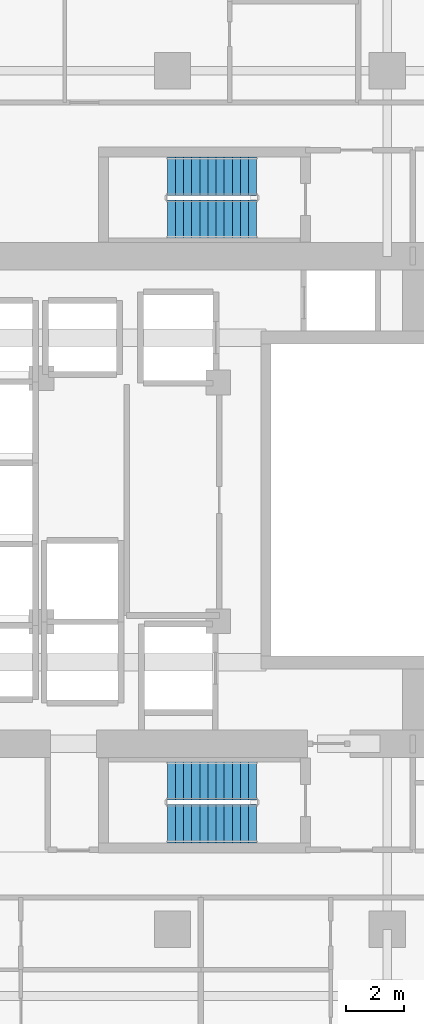
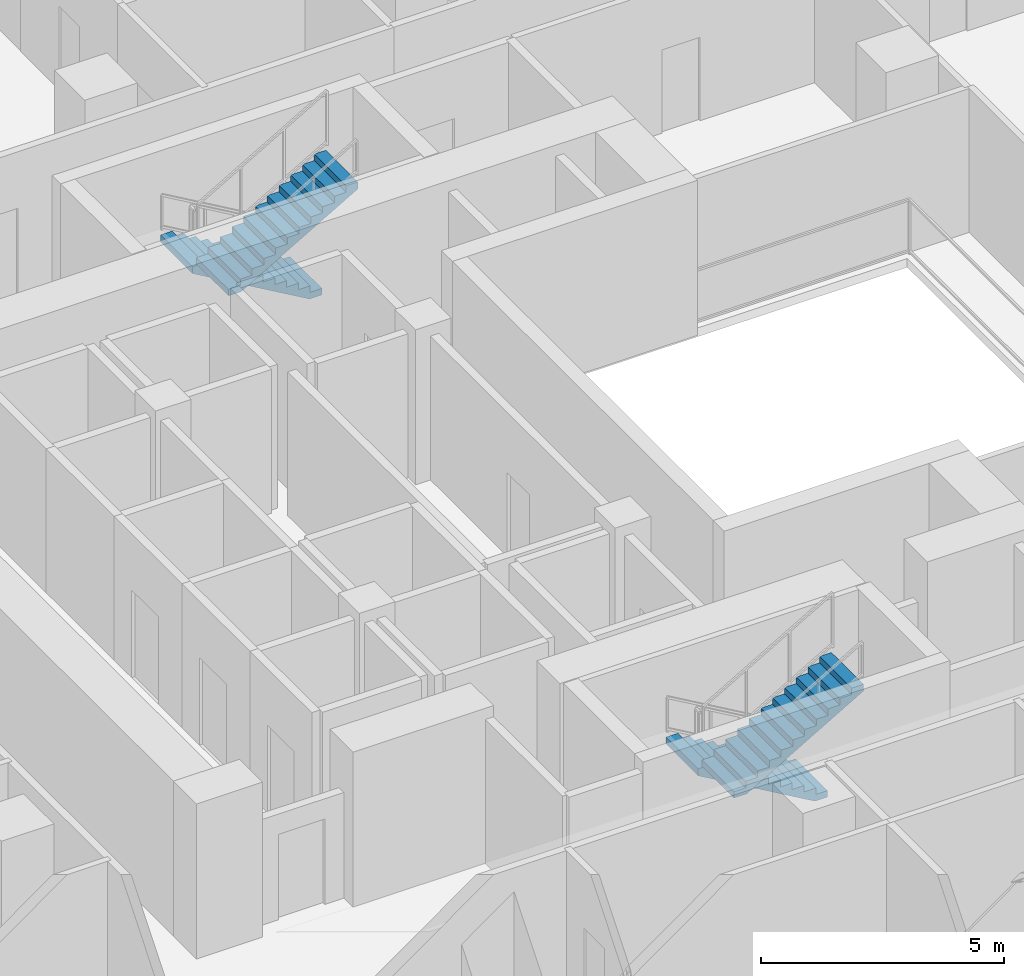
# One storey, part 24 of 28: 4 stair flights, 2 elements without a shape of their own.
"""IFC4 building model written with IfcOpenShell, lengths in metres."""

from ifc_helpers import new_model, si_unit, direction, frame, origin, place, context, subcontext, project, spatial, polyline, outline, extrude, material, type_object, element, aggregate, save


model = new_model("IFC4")

# Units and contexts
model_context = context("Model", 3, precision=1e-05, world=origin(), true_north=direction((0.0, 1.0)))
body_context = subcontext(model_context, "Body", "Model", "MODEL_VIEW")
ifc_project = project(units=[si_unit("LENGTHUNIT", "METRE"), si_unit("AREAUNIT", "SQUARE_METRE"), si_unit("VOLUMEUNIT", "CUBIC_METRE"), si_unit("PLANEANGLEUNIT", "RADIAN"), si_unit("MASSUNIT", "GRAM", prefix="KILO")], contexts=[model_context])

# Site, building, storey
site_placement = place(None, origin())
site = spatial("IfcSite", under=ifc_project, at=site_placement, CompositionType="ELEMENT")
building_placement = place(site_placement, origin())
building = spatial("IfcBuilding", under=site, at=building_placement, Name="Khorvyn Point Tower", CompositionType="ELEMENT")
storey_placement = place(building_placement, frame((0.0, 0.0, 104.699951171875)))
storey = spatial("IfcBuildingStorey", under=building, at=storey_placement, Name="L26", CompositionType="ELEMENT", Elevation=104.699951171875)

# Stair, stair flights
ifc_material = material(Name="Concrete C40/50", Category="concrete")
stair_type = type_object("IfcStairType", Name="Tower Concrete C40/50 Dogleg Exit Stair", PredefinedType="HALF_TURN_STAIR", material=ifc_material)
stair_1_placement = place(storey_placement, origin())
stair_1 = element("IfcStair", 1, at=stair_1_placement, inside=storey, type_object=stair_type, Name="L26 Tower Smokeproof Exit Stair South", PredefinedType="HALF_TURN_STAIR")
stair_flight_type = type_object("IfcStairFlightType", Name="Tower Concrete C40/50 Stair Flight", PredefinedType="STRAIGHT", material=ifc_material)
stair_flight_1_placement = place(storey_placement, frame((2.89990234375, -9.679931640625, 0.0), z_axis=(0.0, 0.0, 1.0), x_axis=(-1.0, 0.0, 0.0)))
stair_flight_1 = element("IfcStairFlight", 2, at=stair_flight_1_placement, type_object=stair_flight_type, Name="ST-01 flight 1", NumberOfRisers=12, NumberOfTreads=11, PredefinedType="STRAIGHT", RiserHeight=0.1625, TreadLength=0.28, context=body_context, shape_type="SweptSolid", body=[
    extrude(outline(polyline([(0.0, 0.0), (0.0, 0.16259765625), (0.280029296875, 0.16259765625), (0.280029296875, 0.324951171875), (0.56005859375, 0.324951171875), (0.56005859375, 0.487548828125), (0.840087890625, 0.487548828125), (0.840087890625, 0.64990234375), (1.1201171875, 0.64990234375), (1.1201171875, 0.8125), (1.39990234375, 0.8125), (1.39990234375, 0.97509765625), (1.679931640625, 0.97509765625), (1.679931640625, 1.137451171875), (1.9599609375, 1.137451171875), (1.9599609375, 1.300048828125), (2.239990234375, 1.300048828125), (2.239990234375, 1.46240234375), (2.52001953125, 1.46240234375), (2.52001953125, 1.625), (2.800048828125, 1.625), (2.800048828125, 1.78759765625), (3.080078125, 1.78759765625), (3.080078125, 1.949951171875), (3.080078125, 1.6142578125), (0.298583984375, 0.0), (0.0, 0.0)])), frame((0.0, 0.66015625, 0.0), z_axis=(0.0, -1.0, 0.0), x_axis=(1.0, 0.0, 0.0)), (0.0, 0.0, 1.0), 1.320068359375),
])
stair_flight_2_placement = place(storey_placement, frame((-0.179931640625, -11.159912109375, 1.949951171875), z_axis=(0.0, 0.0, 1.0), x_axis=(1.0, 0.0, 0.0)))
stair_flight_2 = element("IfcStairFlight", 3, at=stair_flight_2_placement, type_object=stair_flight_type, Name="ST-01 flight 2", NumberOfRisers=12, NumberOfTreads=11, PredefinedType="STRAIGHT", RiserHeight=0.1625, TreadLength=0.28, context=body_context, shape_type="SweptSolid", body=[
    extrude(outline(polyline([(0.0, 0.0), (0.0, 0.16259765625), (0.280029296875, 0.16259765625), (0.280029296875, 0.324951171875), (0.56005859375, 0.324951171875), (0.56005859375, 0.487548828125), (0.840087890625, 0.487548828125), (0.840087890625, 0.64990234375), (1.1201171875, 0.64990234375), (1.1201171875, 0.8125), (1.39990234375, 0.8125), (1.39990234375, 0.97509765625), (1.679931640625, 0.97509765625), (1.679931640625, 1.137451171875), (1.9599609375, 1.137451171875), (1.9599609375, 1.300048828125), (2.239990234375, 1.300048828125), (2.239990234375, 1.46240234375), (2.52001953125, 1.46240234375), (2.52001953125, 1.625), (2.800048828125, 1.625), (2.800048828125, 1.78759765625), (3.080078125, 1.78759765625), (3.080078125, 1.949951171875), (3.080078125, 1.6142578125), (0.298583984375, 0.0), (0.0, 0.0)])), frame((0.0, 0.66015625, 0.0), z_axis=(0.0, -1.0, 0.0), x_axis=(1.0, 0.0, 0.0)), (0.0, 0.0, 1.0), 1.320068359375),
])
aggregate(stair_1, [stair_flight_1, stair_flight_2])

stair_2_placement = place(storey_placement, origin())
stair_2 = element("IfcStair", 4, at=stair_2_placement, inside=storey, type_object=stair_type, Name="L26 Tower Smokeproof Exit Stair North", PredefinedType="HALF_TURN_STAIR")
stair_flight_3_placement = place(storey_placement, frame((2.89990234375, 11.159912109375, 0.0), z_axis=(0.0, 0.0, 1.0), x_axis=(-1.0, 0.0, 0.0)))
stair_flight_3 = element("IfcStairFlight", 5, at=stair_flight_3_placement, type_object=stair_flight_type, Name="ST-02 flight 1", NumberOfRisers=12, NumberOfTreads=11, PredefinedType="STRAIGHT", RiserHeight=0.1625, TreadLength=0.28, context=body_context, shape_type="SweptSolid", body=[
    extrude(outline(polyline([(0.0, 0.0), (0.0, 0.16259765625), (0.280029296875, 0.16259765625), (0.280029296875, 0.324951171875), (0.56005859375, 0.324951171875), (0.56005859375, 0.487548828125), (0.840087890625, 0.487548828125), (0.840087890625, 0.64990234375), (1.1201171875, 0.64990234375), (1.1201171875, 0.8125), (1.39990234375, 0.8125), (1.39990234375, 0.97509765625), (1.679931640625, 0.97509765625), (1.679931640625, 1.137451171875), (1.9599609375, 1.137451171875), (1.9599609375, 1.300048828125), (2.239990234375, 1.300048828125), (2.239990234375, 1.46240234375), (2.52001953125, 1.46240234375), (2.52001953125, 1.625), (2.800048828125, 1.625), (2.800048828125, 1.78759765625), (3.080078125, 1.78759765625), (3.080078125, 1.949951171875), (3.080078125, 1.6142578125), (0.298583984375, 0.0), (0.0, 0.0)])), frame((0.0, 0.66015625, 0.0), z_axis=(0.0, -1.0, 0.0), x_axis=(1.0, 0.0, 0.0)), (0.0, 0.0, 1.0), 1.320068359375),
])
stair_flight_4_placement = place(storey_placement, frame((-0.179931640625, 9.679931640625, 1.949951171875), z_axis=(0.0, 0.0, 1.0), x_axis=(1.0, 0.0, 0.0)))
stair_flight_4 = element("IfcStairFlight", 6, at=stair_flight_4_placement, type_object=stair_flight_type, Name="ST-02 flight 2", NumberOfRisers=12, NumberOfTreads=11, PredefinedType="STRAIGHT", RiserHeight=0.1625, TreadLength=0.28, context=body_context, shape_type="SweptSolid", body=[
    extrude(outline(polyline([(0.0, 0.0), (0.0, 0.16259765625), (0.280029296875, 0.16259765625), (0.280029296875, 0.324951171875), (0.56005859375, 0.324951171875), (0.56005859375, 0.487548828125), (0.840087890625, 0.487548828125), (0.840087890625, 0.64990234375), (1.1201171875, 0.64990234375), (1.1201171875, 0.8125), (1.39990234375, 0.8125), (1.39990234375, 0.97509765625), (1.679931640625, 0.97509765625), (1.679931640625, 1.137451171875), (1.9599609375, 1.137451171875), (1.9599609375, 1.300048828125), (2.239990234375, 1.300048828125), (2.239990234375, 1.46240234375), (2.52001953125, 1.46240234375), (2.52001953125, 1.625), (2.800048828125, 1.625), (2.800048828125, 1.78759765625), (3.080078125, 1.78759765625), (3.080078125, 1.949951171875), (3.080078125, 1.6142578125), (0.298583984375, 0.0), (0.0, 0.0)])), frame((0.0, 0.66015625, 0.0), z_axis=(0.0, -1.0, 0.0), x_axis=(1.0, 0.0, 0.0)), (0.0, 0.0, 1.0), 1.320068359375),
])
aggregate(stair_2, [stair_flight_3, stair_flight_4])

save(model, "model.ifc")
